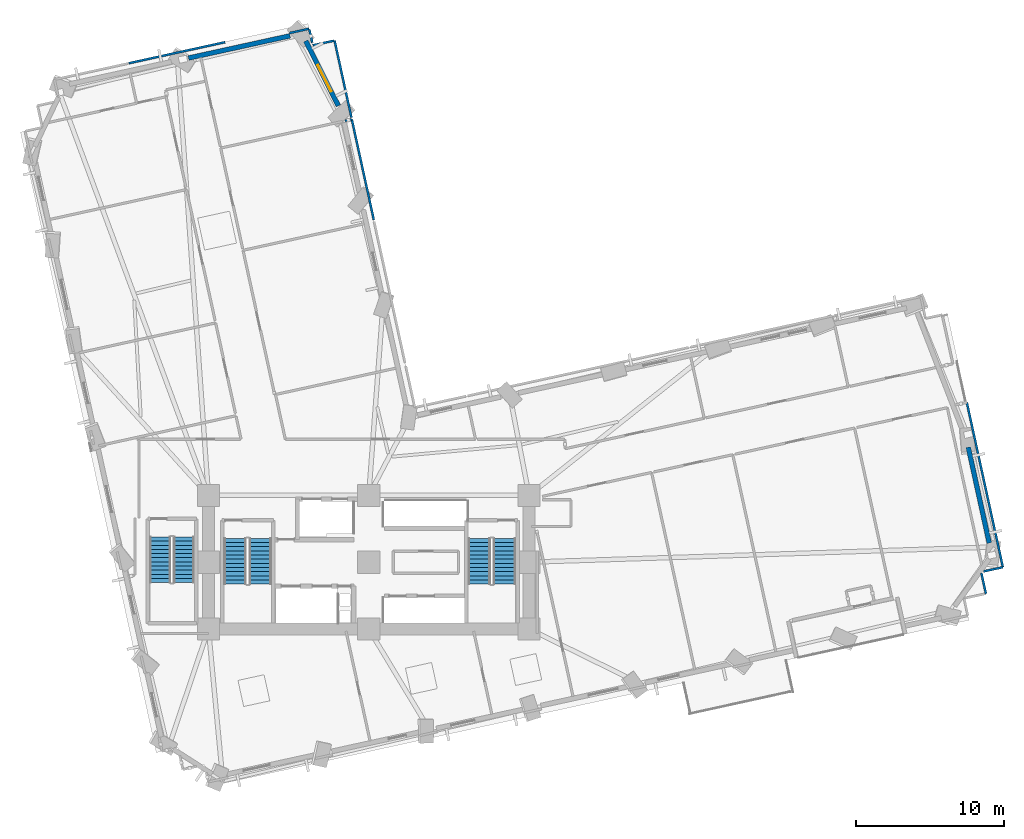
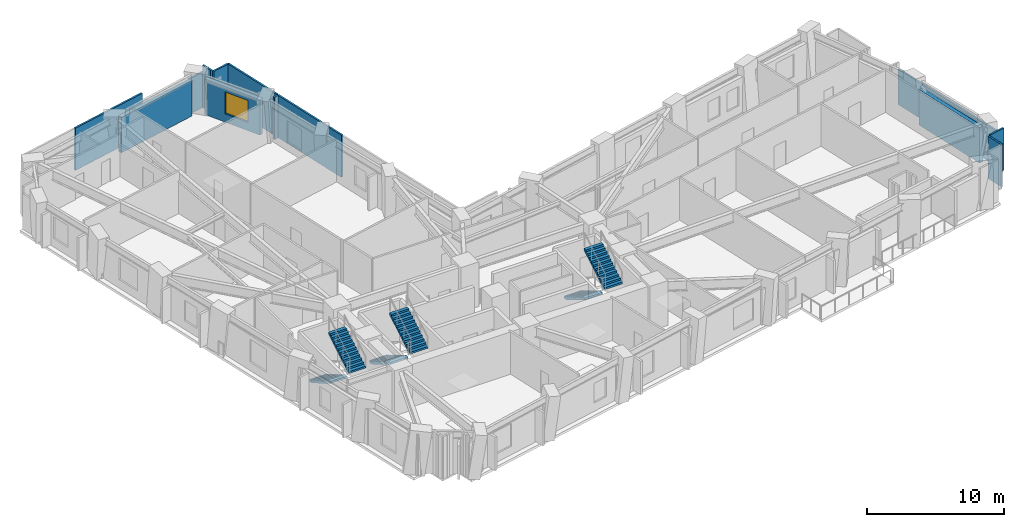
# One storey, part 10 of 14: 13 walls, 6 stair flights, 1 window, 1 opening, 3 elements without a shape of their own.
"""IFC4 building model written with IfcOpenShell, lengths in metres."""

from ifc_helpers import new_model, si_unit, direction, frame, frame_2d, origin, place, context, subcontext, project, spatial, polyline, rectangle, outline, extrude, material, layer, layer_set, type_object, element, fill, aggregate, save


model = new_model("IFC4")

# Units and contexts
model_context = context("Model", 3, precision=1e-05, world=origin(), true_north=direction((0.0, 1.0)))
body_context = subcontext(model_context, "Body", "Model", "MODEL_VIEW")
ifc_project = project(units=[si_unit("LENGTHUNIT", "METRE"), si_unit("AREAUNIT", "SQUARE_METRE"), si_unit("VOLUMEUNIT", "CUBIC_METRE"), si_unit("PLANEANGLEUNIT", "RADIAN"), si_unit("MASSUNIT", "GRAM", prefix="KILO")], contexts=[model_context])

# Site, building, storey
site_placement = place(None, origin())
site = spatial("IfcSite", under=ifc_project, at=site_placement, CompositionType="ELEMENT")
building_placement = place(site_placement, origin())
building = spatial("IfcBuilding", under=site, at=building_placement, Name="Gaonmaruhae Medical Tower", CompositionType="ELEMENT")
storey_placement = place(building_placement, frame((0.0, 0.0, 75.0)))
storey = spatial("IfcBuildingStorey", under=building, at=storey_placement, Name="L17", CompositionType="ELEMENT", Elevation=75.0)

# Wall
ifc_material_1 = material(Name="Precast concrete C45/55", Category="concrete")
ifc_layer_1 = layer(ifc_material_1, 0.320068359375)
ifc_layer_set_1 = layer_set([ifc_layer_1], Name="Precast concrete C45/55")
wall_type_1 = type_object("IfcWallType", Name="EW-320 Lower Precast Masonry-Frame Facade Wall", PredefinedType="SOLIDWALL", material=ifc_layer_set_1)
wall_1_placement = place(storey_placement, frame((65.1982421875, 20.045166015625, 0.0), z_axis=(0.0, 0.0, 1.0), x_axis=(0.213883023499, -0.976859279661, 0.0)))
element("IfcWall", 1, at=wall_1_placement, inside=storey, type_object=wall_type_1, Name="L17 Precast Masonry-Frame Wall E01-E02", PredefinedType="SOLIDWALL", context=body_context, shape_type="SweptSolid", body=[
    extrude(rectangle(XDim=6.6103515625, YDim=0.320068359375, at=frame_2d((3.30517578125, 0.0))), origin(), (0.0, 0.0, 1.0), 3.1650390625),
])

# Wall, opening, window
wall_2_placement = place(storey_placement, frame((20.553955078125, 47.4208984375, 0.0), z_axis=(0.0, 0.0, 1.0), x_axis=(0.449828356425, -0.89311502605, 0.0)))
wall_2 = element("IfcWall", 2, at=wall_2_placement, inside=storey, type_object=wall_type_1, Name="L17 Precast Masonry-Frame Wall NE03-N01", PredefinedType="SOLIDWALL", context=body_context, shape_type="SweptSolid", body=[
    extrude(rectangle(XDim=4.888916015625, YDim=0.320068359375, at=frame_2d((2.4443359375, 0.0))), origin(), (0.0, 0.0, 1.0), 3.1650390625),
])
opening_placement = place(wall_2_placement, frame((1.814697265625, 0.0, 0.75)))
opening = element("IfcOpeningElement", 3, at=opening_placement, cuts=wall_2, Name="Opening WN-02", PredefinedType="OPENING", context=body_context, shape_type="SweptSolid", body=[
    extrude(rectangle(XDim=2.0, YDim=1.949951171875, at=frame_2d((1.0, 0.97509765625))), frame((0.0, 0.169921875, 0.0), z_axis=(0.0, -1.0, 0.0), x_axis=(1.0, 0.0, 0.0)), (0.0, 0.0, 1.0), 0.340087890625),
])
ifc_material_2 = material(Name="Anodised aluminium and Low-E double glazing", Category="aluminium")
window_type = type_object("IfcWindowType", Name="WN-02 Double-Bed Ward Punched Window 2000x1950", PartitioningType="SINGLE_PANEL", PredefinedType="WINDOW", material=ifc_material_2)
window_placement = place(opening_placement, origin())
window = element("IfcWindow", 4, at=window_placement, inside=storey, type_object=window_type, Name="L17 Modular Facade Window NE03", OverallHeight=1.949951171875, OverallWidth=2.0, PartitioningType="SINGLE_PANEL", PredefinedType="WINDOW", context=body_context, shape_type="SweptSolid", body=[
    extrude(rectangle(XDim=2.0, YDim=1.949951171875, at=frame_2d((1.0, 0.97509765625))), frame((0.0, 0.030029296875, 0.0), z_axis=(0.0, -1.0, 0.0), x_axis=(1.0, 0.0, 0.0)), (0.0, 0.0, 1.0), 0.06005859375),
])
fill(opening, window)

# Walls
wall_3_placement = place(storey_placement, frame((12.656494140625, 46.267333984375, 0.0), z_axis=(0.0, 0.0, 1.0), x_axis=(0.976859060718, 0.213884023465, 0.0)))
element("IfcWall", 5, at=wall_3_placement, inside=storey, type_object=wall_type_1, Name="L17 Precast Masonry-Frame Wall N01-N02", PredefinedType="SOLIDWALL", context=body_context, shape_type="SweptSolid", body=[
    extrude(rectangle(XDim=7.0029296875, YDim=0.320068359375, at=frame_2d((3.50146484375, 0.0))), origin(), (0.0, 0.0, 1.0), 3.1650390625),
])
ifc_material_3 = material(Name="Gypsum board partition", Category="gypsum")
ifc_layer_2 = layer(ifc_material_3, 0.14990234375)
ifc_layer_set_2 = layer_set([ifc_layer_2], Name="Gypsum board partition")
wall_type_2 = type_object("IfcWallType", Name="PW-150 Rated Clinical Corridor Partition", PredefinedType="PARTITIONING", material=ifc_layer_set_2)
wall_4_placement = place(storey_placement, frame((66.0810546875, 11.572021484375, 0.0), z_axis=(0.0, 0.0, 1.0), x_axis=(0.213768109417, -0.976884432979, 0.0)))
element("IfcWall", 6, at=wall_4_placement, inside=storey, type_object=wall_type_2, Name="L17 Interior Partition L17-SUP08-40", PredefinedType="PARTITIONING", context=body_context, shape_type="SweptSolid", body=[
    extrude(rectangle(XDim=1.430908203125, YDim=0.14990234375, at=frame_2d((0.71533203125, 0.0))), origin(), (0.0, 0.0, 1.0), 3.780029296875),
])
wall_5_placement = place(storey_placement, frame((23.2109375, 42.037109375, 0.0), z_axis=(0.0, 0.0, 1.0), x_axis=(0.97681718406, 0.214075194559, 0.0)))
element("IfcWall", 7, at=wall_5_placement, inside=storey, type_object=wall_type_2, Name="L17 Interior Partition L17-IN02-85", PredefinedType="PARTITIONING", context=body_context, shape_type="SweptSolid", body=[
    extrude(rectangle(XDim=0.4619140625, YDim=0.14990234375, at=frame_2d((0.23095703125, 0.0))), origin(), (0.0, 0.0, 1.0), 3.780029296875),
])
wall_6_placement = place(storey_placement, frame((23.662109375, 42.135986328125, 0.0), z_axis=(0.0, 0.0, 1.0), x_axis=(0.213833454661, -0.976870131424, 0.0)))
element("IfcWall", 8, at=wall_6_placement, inside=storey, type_object=wall_type_2, Name="L17 Interior Partition L17-IN02-86", PredefinedType="PARTITIONING", context=body_context, shape_type="SweptSolid", body=[
    extrude(rectangle(XDim=6.930419921875, YDim=0.14990234375, at=frame_2d((3.46533203125, 0.0))), origin(), (0.0, 0.0, 1.0), 3.780029296875),
])
wall_7_placement = place(storey_placement, frame((22.4990234375, 47.449951171875, 0.0), z_axis=(0.0, 0.0, 1.0), x_axis=(0.213892579963, -0.976857187227, 0.0)))
element("IfcWall", 9, at=wall_7_placement, inside=storey, type_object=wall_type_2, Name="L17 Interior Partition L17-IN03-87", PredefinedType="PARTITIONING", context=body_context, shape_type="SweptSolid", body=[
    extrude(rectangle(XDim=5.320068359375, YDim=0.14990234375, at=frame_2d((2.66015625, 0.0))), origin(), (0.0, 0.0, 1.0), 3.780029296875),
])
wall_8_placement = place(storey_placement, frame((19.45703125, 47.950927734375, 0.0), z_axis=(0.0, 0.0, 1.0), x_axis=(0.976839285901, 0.213974319769, 0.0)))
element("IfcWall", 10, at=wall_8_placement, inside=storey, type_object=wall_type_2, Name="L17 Interior Partition L17-IN03-89", PredefinedType="PARTITIONING", context=body_context, shape_type="SweptSolid", body=[
    extrude(rectangle(XDim=1.364501953125, YDim=0.14990234375, at=frame_2d((0.68212890625, 0.0))), origin(), (0.0, 0.0, 1.0), 3.1650390625),
])
wall_9_placement = place(storey_placement, frame((20.801025390625, 48.194091796875, 0.0), z_axis=(0.0, 0.0, 1.0), x_axis=(0.213171705665, -0.977014751119, 0.0)))
element("IfcWall", 11, at=wall_9_placement, inside=storey, type_object=wall_type_2, Name="L17 Interior Partition L17-IN03-90", PredefinedType="PARTITIONING", context=body_context, shape_type="SweptSolid", body=[
    extrude(rectangle(XDim=0.9150390625, YDim=0.14990234375, at=frame_2d((0.45751953125, 0.0))), origin(), (0.0, 0.0, 1.0), 3.780029296875),
])
wall_10_placement = place(storey_placement, frame((21.032958984375, 47.12890625, 0.0), z_axis=(0.0, 0.0, 1.0), x_axis=(0.97688683915, 0.213757113322, 0.0)))
element("IfcWall", 12, at=wall_10_placement, inside=storey, type_object=wall_type_2, Name="L17 Interior Partition L17-IN03-91", PredefinedType="PARTITIONING", context=body_context, shape_type="SweptSolid", body=[
    extrude(rectangle(XDim=1.450439453125, YDim=0.14990234375, at=frame_2d((0.72509765625, 0.0))), origin(), (0.0, 0.0, 1.0), 3.780029296875),
])
wall_11_placement = place(storey_placement, frame((8.635009765625, 45.9189453125, 0.0), z_axis=(0.0, 0.0, 1.0), x_axis=(0.976864747358, 0.21385804958, 0.0)))
element("IfcWall", 13, at=wall_11_placement, inside=storey, type_object=wall_type_2, Name="L17 Interior Partition L17-RM02-97", PredefinedType="PARTITIONING", context=body_context, shape_type="SweptSolid", body=[
    extrude(rectangle(XDim=6.640625, YDim=0.14990234375, at=frame_2d((3.3203125, 0.0))), origin(), (0.0, 0.0, 1.0), 3.780029296875),
])
wall_12_placement = place(storey_placement, frame((65.10009765625, 23.06689453125, 0.0), z_axis=(0.0, 0.0, 1.0), x_axis=(0.213803180167, -0.976876757913, 0.0)))
element("IfcWall", 14, at=wall_12_placement, inside=storey, type_object=wall_type_2, Name="L17 Interior Partition L17-RM03-101", PredefinedType="PARTITIONING", context=body_context, shape_type="SweptSolid", body=[
    extrude(rectangle(XDim=11.369873046875, YDim=0.14990234375, at=frame_2d((5.68505859375, 0.0))), origin(), (0.0, 0.0, 1.0), 3.1650390625),
])
wall_13_placement = place(storey_placement, frame((67.531005859375, 11.9599609375, 0.0), z_axis=(0.0, 0.0, 1.0), x_axis=(-0.976973655667, -0.213359968442, 0.0)))
element("IfcWall", 15, at=wall_13_placement, inside=storey, type_object=wall_type_2, Name="L17 Interior Partition L17-RM03-102", PredefinedType="PARTITIONING", context=body_context, shape_type="SweptSolid", body=[
    extrude(rectangle(XDim=1.33984375, YDim=0.14990234375, at=frame_2d((0.669921875, 0.0))), origin(), (0.0, 0.0, 1.0), 3.780029296875),
])

# Stair, stair flights
ifc_material_4 = material(Name="Concrete C40/50", Category="concrete")
stair_type_1 = type_object("IfcStairType", Name="ST-T1 Primary Core Escape Dogleg Stair", PredefinedType="TWO_QUARTER_TURN_STAIR", material=ifc_material_4)
stair_1_placement = place(storey_placement, origin())
stair_1 = element("IfcStair", 16, at=stair_1_placement, inside=storey, type_object=stair_type_1, Name="L17 Protected Escape Stair ST-01", PredefinedType="TWO_QUARTER_TURN_STAIR")
stair_flight_type_1 = type_object("IfcStairFlightType", Name="SF-T1 Primary Core Precast Stair Flight", PredefinedType="STRAIGHT", material=ifc_material_4)
stair_flight_1_placement = place(storey_placement, frame((15.800048828125, 13.89990234375, 0.0), z_axis=(0.0, 0.0, 1.0), x_axis=(0.0, -1.0, 0.0)))
stair_flight_1 = element("IfcStairFlight", 17, at=stair_flight_1_placement, type_object=stair_flight_type_1, Name="ST-01 flight 1", NumberOfRisers=12, NumberOfTreads=11, PredefinedType="STRAIGHT", RiserHeight=0.166666667, TreadLength=0.28, context=body_context, shape_type="SweptSolid", body=[
    extrude(outline(polyline([(0.0, 0.0), (0.0, 0.166748046875), (0.280029296875, 0.166748046875), (0.280029296875, 0.333251953125), (0.56005859375, 0.333251953125), (0.56005859375, 0.5), (0.840087890625, 0.5), (0.840087890625, 0.666748046875), (1.1201171875, 0.666748046875), (1.1201171875, 0.833251953125), (1.39990234375, 0.833251953125), (1.39990234375, 1.0), (1.679931640625, 1.0), (1.679931640625, 1.166748046875), (1.9599609375, 1.166748046875), (1.9599609375, 1.333251953125), (2.239990234375, 1.333251953125), (2.239990234375, 1.5), (2.52001953125, 1.5), (2.52001953125, 1.666748046875), (2.800048828125, 1.666748046875), (2.800048828125, 1.833251953125), (3.080078125, 1.833251953125), (3.080078125, 2.0), (3.080078125, 1.658935546875), (0.29296875, 0.0), (0.0, 0.0)])), frame((0.0, 0.75, 0.0), z_axis=(0.0, -1.0, 0.0), x_axis=(1.0, 0.0, 0.0)), (0.0, 0.0, 1.0), 1.5),
])
stair_flight_2_placement = place(storey_placement, frame((17.5, 10.820068359375, 2.0), z_axis=(0.0, 0.0, 1.0), x_axis=(0.0, 1.0, 0.0)))
stair_flight_2 = element("IfcStairFlight", 18, at=stair_flight_2_placement, type_object=stair_flight_type_1, Name="ST-01 flight 2", NumberOfRisers=12, NumberOfTreads=11, PredefinedType="STRAIGHT", RiserHeight=0.166666667, TreadLength=0.28, context=body_context, shape_type="SweptSolid", body=[
    extrude(outline(polyline([(0.0, 0.0), (0.0, 0.166748046875), (0.280029296875, 0.166748046875), (0.280029296875, 0.333251953125), (0.56005859375, 0.333251953125), (0.56005859375, 0.5), (0.840087890625, 0.5), (0.840087890625, 0.666748046875), (1.1201171875, 0.666748046875), (1.1201171875, 0.833251953125), (1.39990234375, 0.833251953125), (1.39990234375, 1.0), (1.679931640625, 1.0), (1.679931640625, 1.166748046875), (1.9599609375, 1.166748046875), (1.9599609375, 1.333251953125), (2.239990234375, 1.333251953125), (2.239990234375, 1.5), (2.52001953125, 1.5), (2.52001953125, 1.666748046875), (2.800048828125, 1.666748046875), (2.800048828125, 1.833251953125), (3.080078125, 1.833251953125), (3.080078125, 2.0), (3.080078125, 1.658935546875), (0.29296875, 0.0), (0.0, 0.0)])), frame((0.0, 0.75, 0.0), z_axis=(0.0, -1.0, 0.0), x_axis=(1.0, 0.0, 0.0)), (0.0, 0.0, 1.0), 1.5),
])
aggregate(stair_1, [stair_flight_1, stair_flight_2])

stair_2_placement = place(storey_placement, origin())
stair_2 = element("IfcStair", 19, at=stair_2_placement, inside=storey, type_object=stair_type_1, Name="L17 Protected Escape Stair ST-02", PredefinedType="TWO_QUARTER_TURN_STAIR")
stair_flight_3_placement = place(storey_placement, frame((32.25, 13.89990234375, 0.0), z_axis=(0.0, 0.0, 1.0), x_axis=(0.0, -1.0, 0.0)))
stair_flight_3 = element("IfcStairFlight", 20, at=stair_flight_3_placement, type_object=stair_flight_type_1, Name="ST-02 flight 1", NumberOfRisers=12, NumberOfTreads=11, PredefinedType="STRAIGHT", RiserHeight=0.166666667, TreadLength=0.28, context=body_context, shape_type="SweptSolid", body=[
    extrude(outline(polyline([(0.0, 0.0), (0.0, 0.166748046875), (0.280029296875, 0.166748046875), (0.280029296875, 0.333251953125), (0.56005859375, 0.333251953125), (0.56005859375, 0.5), (0.840087890625, 0.5), (0.840087890625, 0.666748046875), (1.1201171875, 0.666748046875), (1.1201171875, 0.833251953125), (1.39990234375, 0.833251953125), (1.39990234375, 1.0), (1.679931640625, 1.0), (1.679931640625, 1.166748046875), (1.9599609375, 1.166748046875), (1.9599609375, 1.333251953125), (2.239990234375, 1.333251953125), (2.239990234375, 1.5), (2.52001953125, 1.5), (2.52001953125, 1.666748046875), (2.800048828125, 1.666748046875), (2.800048828125, 1.833251953125), (3.080078125, 1.833251953125), (3.080078125, 2.0), (3.080078125, 1.658935546875), (0.29296875, 0.0), (0.0, 0.0)])), frame((0.0, 0.75, 0.0), z_axis=(0.0, -1.0, 0.0), x_axis=(1.0, 0.0, 0.0)), (0.0, 0.0, 1.0), 1.5),
])
stair_flight_4_placement = place(storey_placement, frame((33.949951171875, 10.820068359375, 2.0), z_axis=(0.0, 0.0, 1.0), x_axis=(0.0, 1.0, 0.0)))
stair_flight_4 = element("IfcStairFlight", 21, at=stair_flight_4_placement, type_object=stair_flight_type_1, Name="ST-02 flight 2", NumberOfRisers=12, NumberOfTreads=11, PredefinedType="STRAIGHT", RiserHeight=0.166666667, TreadLength=0.28, context=body_context, shape_type="SweptSolid", body=[
    extrude(outline(polyline([(0.0, 0.0), (0.0, 0.166748046875), (0.280029296875, 0.166748046875), (0.280029296875, 0.333251953125), (0.56005859375, 0.333251953125), (0.56005859375, 0.5), (0.840087890625, 0.5), (0.840087890625, 0.666748046875), (1.1201171875, 0.666748046875), (1.1201171875, 0.833251953125), (1.39990234375, 0.833251953125), (1.39990234375, 1.0), (1.679931640625, 1.0), (1.679931640625, 1.166748046875), (1.9599609375, 1.166748046875), (1.9599609375, 1.333251953125), (2.239990234375, 1.333251953125), (2.239990234375, 1.5), (2.52001953125, 1.5), (2.52001953125, 1.666748046875), (2.800048828125, 1.666748046875), (2.800048828125, 1.833251953125), (3.080078125, 1.833251953125), (3.080078125, 2.0), (3.080078125, 1.658935546875), (0.29296875, 0.0), (0.0, 0.0)])), frame((0.0, 0.75, 0.0), z_axis=(0.0, -1.0, 0.0), x_axis=(1.0, 0.0, 0.0)), (0.0, 0.0, 1.0), 1.5),
])
aggregate(stair_2, [stair_flight_3, stair_flight_4])

stair_type_2 = type_object("IfcStairType", Name="ST-T2 Zone 1 Escape Dogleg Stair", PredefinedType="TWO_QUARTER_TURN_STAIR", material=ifc_material_4)
stair_3_placement = place(storey_placement, origin())
stair_3 = element("IfcStair", 22, at=stair_3_placement, inside=storey, type_object=stair_type_2, Name="L17 Protected Escape Stair ST-03", PredefinedType="TWO_QUARTER_TURN_STAIR")
stair_flight_type_2 = type_object("IfcStairFlightType", Name="SF-T2 Zone 1 Precast Stair Flight", PredefinedType="STRAIGHT", material=ifc_material_4)
stair_flight_5_placement = place(storey_placement, frame((10.75, 14.0, 0.0), z_axis=(0.0, 0.0, 1.0), x_axis=(0.0, -1.0, 0.0)))
stair_flight_5 = element("IfcStairFlight", 23, at=stair_flight_5_placement, type_object=stair_flight_type_2, Name="ST-03 flight 1", NumberOfRisers=12, NumberOfTreads=11, PredefinedType="STRAIGHT", RiserHeight=0.166666667, TreadLength=0.28, context=body_context, shape_type="SweptSolid", body=[
    extrude(outline(polyline([(0.0, 0.0), (0.0, 0.166748046875), (0.280029296875, 0.166748046875), (0.280029296875, 0.333251953125), (0.56005859375, 0.333251953125), (0.56005859375, 0.5), (0.840087890625, 0.5), (0.840087890625, 0.666748046875), (1.1201171875, 0.666748046875), (1.1201171875, 0.833251953125), (1.39990234375, 0.833251953125), (1.39990234375, 1.0), (1.679931640625, 1.0), (1.679931640625, 1.166748046875), (1.9599609375, 1.166748046875), (1.9599609375, 1.333251953125), (2.239990234375, 1.333251953125), (2.239990234375, 1.5), (2.52001953125, 1.5), (2.52001953125, 1.666748046875), (2.800048828125, 1.666748046875), (2.800048828125, 1.833251953125), (3.080078125, 1.833251953125), (3.080078125, 2.0), (3.080078125, 1.658935546875), (0.29296875, 0.0), (0.0, 0.0)])), frame((0.0, 0.699951171875, 0.0), z_axis=(0.0, -1.0, 0.0), x_axis=(1.0, 0.0, 0.0)), (0.0, 0.0, 1.0), 1.39990234375),
])
stair_flight_6_placement = place(storey_placement, frame((12.35009765625, 10.919921875, 2.0), z_axis=(0.0, 0.0, 1.0), x_axis=(0.0, 1.0, 0.0)))
stair_flight_6 = element("IfcStairFlight", 24, at=stair_flight_6_placement, type_object=stair_flight_type_2, Name="ST-03 flight 2", NumberOfRisers=12, NumberOfTreads=11, PredefinedType="STRAIGHT", RiserHeight=0.166666667, TreadLength=0.28, context=body_context, shape_type="SweptSolid", body=[
    extrude(outline(polyline([(0.0, 0.0), (0.0, 0.166748046875), (0.280029296875, 0.166748046875), (0.280029296875, 0.333251953125), (0.56005859375, 0.333251953125), (0.56005859375, 0.5), (0.840087890625, 0.5), (0.840087890625, 0.666748046875), (1.1201171875, 0.666748046875), (1.1201171875, 0.833251953125), (1.39990234375, 0.833251953125), (1.39990234375, 1.0), (1.679931640625, 1.0), (1.679931640625, 1.166748046875), (1.9599609375, 1.166748046875), (1.9599609375, 1.333251953125), (2.239990234375, 1.333251953125), (2.239990234375, 1.5), (2.52001953125, 1.5), (2.52001953125, 1.666748046875), (2.800048828125, 1.666748046875), (2.800048828125, 1.833251953125), (3.080078125, 1.833251953125), (3.080078125, 2.0), (3.080078125, 1.658935546875), (0.29296875, 0.0), (0.0, 0.0)])), frame((0.0, 0.699951171875, 0.0), z_axis=(0.0, -1.0, 0.0), x_axis=(1.0, 0.0, 0.0)), (0.0, 0.0, 1.0), 1.39990234375),
])
aggregate(stair_3, [stair_flight_5, stair_flight_6])

save(model, "model.ifc")
